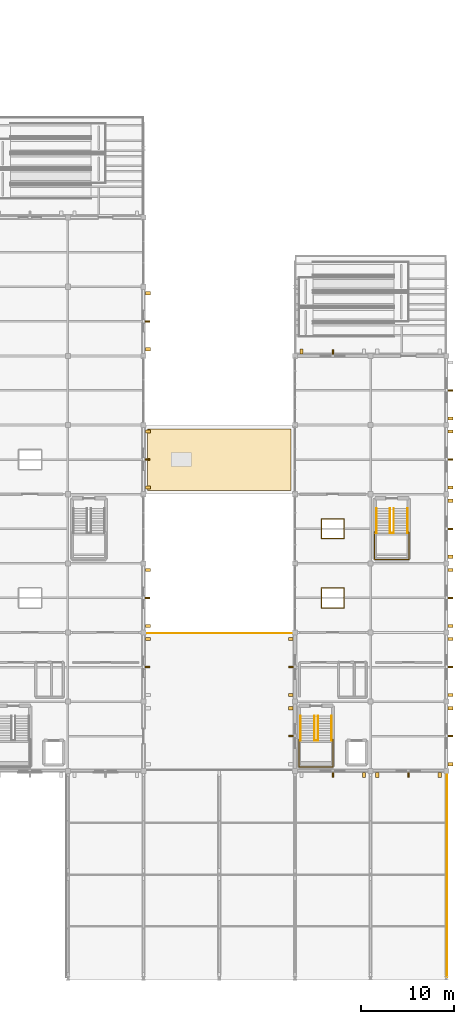
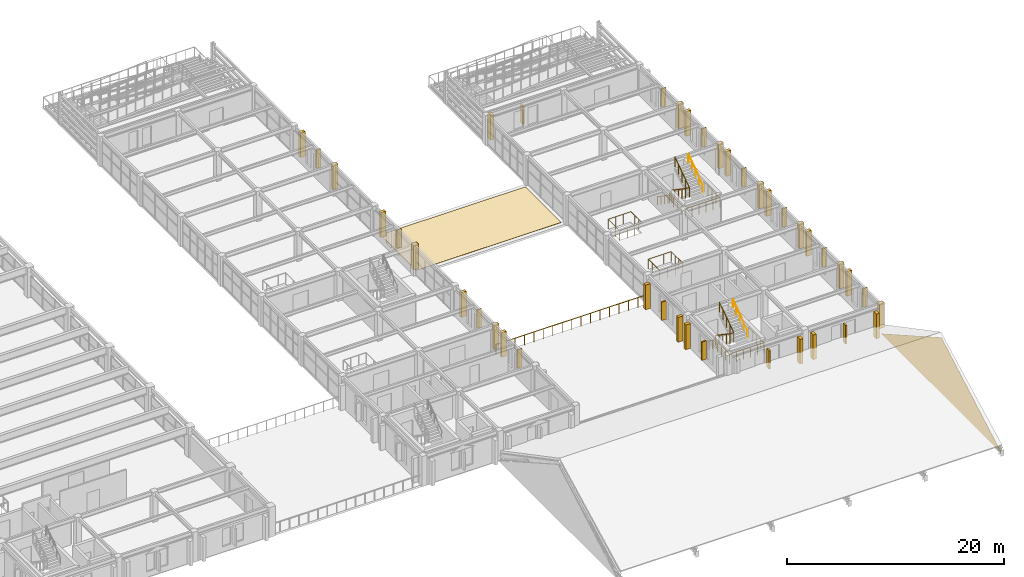
# One storey, part 120 of 121: 40 shading devices, 11 railings, 2 coverings.
"""IFC4 building model written with IfcOpenShell, lengths in metres."""

from ifc_helpers import new_model, si_unit, direction, frame, origin, origin_2d, place, context, subcontext, project, spatial, polyline, rectangle, circle, outline, extrude, material, layer, layer_set, type_object, element, save


model = new_model("IFC4")

# Units and contexts
model_context = context("Model", 3, precision=1e-05, world=origin(), true_north=direction((0.0, 1.0)))
body_context = subcontext(model_context, "Body", "Model", "MODEL_VIEW")
ifc_project = project(units=[si_unit("LENGTHUNIT", "METRE"), si_unit("AREAUNIT", "SQUARE_METRE"), si_unit("VOLUMEUNIT", "CUBIC_METRE"), si_unit("PLANEANGLEUNIT", "RADIAN"), si_unit("MASSUNIT", "GRAM", prefix="KILO")], contexts=[model_context])

# Site, building, storey
site_placement = place(None, origin())
site = spatial("IfcSite", under=ifc_project, at=site_placement, CompositionType="ELEMENT")
building_placement = place(site_placement, origin())
building = spatial("IfcBuilding", under=site, at=building_placement, Name="Cimatlan Art Gallery", CompositionType="ELEMENT")
storey_placement = place(building_placement, frame((0.0, 0.0, 10.199951171875)))
storey = spatial("IfcBuildingStorey", under=building, at=storey_placement, Name="L02", CompositionType="ELEMENT", Elevation=10.199951171875)

# Coverings
ifc_material_1 = material(Name="Queretaro cantera limestone ashlar hood-mould", Category="masonry")
ifc_layer_1 = layer(ifc_material_1, 0.0419921875)
ifc_layer_set_1 = layer_set([ifc_layer_1], Name="Queretaro cantera limestone ashlar hood-mould")
covering_type_1 = type_object("IfcCoveringType", Name="COV-CLAD-CANTERA-42", PredefinedType="CLADDING", material=ifc_layer_set_1)
covering_1_placement = place(storey_placement, frame((164.080078125, 1.800048828125, -0.050048828125), z_axis=(1.0, 0.0, 0.0), x_axis=(0.0, 1.0, 0.0)))
element("IfcCovering", 1, at=covering_1_placement, inside=storey, type_object=covering_type_1, Name="CLD-GABLE-AUD-E", PredefinedType="CLADDING", context=body_context, shape_type="SweptSolid", body=[
    extrude(outline(polyline([(0.0, 0.0), (22.0, 0.0), (11.0, 6.25), (0.0, 0.0)])), origin(), (0.0, 0.0, -1.0), 0.0419921875),
])
ifc_material_2 = material(Name="Standing-seam patinated zinc roofing")
ifc_layer_2 = layer(ifc_material_2, 0.02490234375)
ifc_layer_set_2 = layer_set([ifc_layer_2], Name="Standing-seam patinated zinc roofing")
covering_type_2 = type_object("IfcCoveringType", Name="COV-ROOF-ZINC-25", PredefinedType="ROOFING", material=ifc_layer_set_2)
covering_2_placement = place(storey_placement, frame((139.699951171875, 57.199951171875, 0.0), z_axis=(0.0, 0.0, 1.0), x_axis=(1.0, 0.0, 0.0)))
element("IfcCovering", 2, at=covering_2_placement, inside=storey, type_object=covering_type_2, Name="RFG-BRG-ST", PredefinedType="ROOFING", context=body_context, shape_type="SweptSolid", body=[
    extrude(rectangle(XDim=15.39990234375, YDim=6.60009765625, at=origin_2d()), origin(), (0.0, 0.0, 1.0), 0.02490234375),
])

# Railings
ifc_material_3 = material(Name="Anodised bronze and laminated glass balustrade", Category="glass")
railing_type_1 = type_object("IfcRailingType", Name="RL-BAL-EXT-1100", PredefinedType="BALUSTRADE", material=ifc_material_3)
railing_1_placement = place(storey_placement, frame((131.639892578125, 38.6201171875, 0.0)))
element("IfcRailing", 3, at=railing_1_placement, inside=storey, type_object=railing_type_1, Name="GR-TER-13", PredefinedType="BALUSTRADE", context=body_context, shape_type="SweptSolid", body=[
    extrude(circle(Radius=0.02587890625, at=origin_2d()), frame((0.0, 0.0, 1.09423828125), z_axis=(1.0, 0.0, 0.0), x_axis=(0.0, 1.0, 0.0)), (0.0, 0.0, 1.0), 16.1201171875),
    extrude(circle(Radius=0.02099609375, at=origin_2d()), origin(), (0.0, 0.0, 1.0), 1.068115234375),
    extrude(circle(Radius=0.02099609375, at=origin_2d()), frame((1.007568359375, 0.0, 0.0)), (0.0, 0.0, 1.0), 1.068115234375),
    extrude(circle(Radius=0.02099609375, at=origin_2d()), frame((2.01513671875, 0.0, 0.0)), (0.0, 0.0, 1.0), 1.068115234375),
    extrude(circle(Radius=0.02099609375, at=origin_2d()), frame((3.0224609375, 0.0, 0.0)), (0.0, 0.0, 1.0), 1.068115234375),
    extrude(circle(Radius=0.02099609375, at=origin_2d()), frame((4.030029296875, 0.0, 0.0)), (0.0, 0.0, 1.0), 1.068115234375),
    extrude(circle(Radius=0.02099609375, at=origin_2d()), frame((5.03759765625, 0.0, 0.0)), (0.0, 0.0, 1.0), 1.068115234375),
    extrude(circle(Radius=0.02099609375, at=origin_2d()), frame((6.044921875, 0.0, 0.0)), (0.0, 0.0, 1.0), 1.068115234375),
    extrude(circle(Radius=0.02099609375, at=origin_2d()), frame((7.052490234375, 0.0, 0.0)), (0.0, 0.0, 1.0), 1.068115234375),
    extrude(circle(Radius=0.02099609375, at=origin_2d()), frame((8.06005859375, 0.0, 0.0)), (0.0, 0.0, 1.0), 1.068115234375),
    extrude(circle(Radius=0.02099609375, at=origin_2d()), frame((9.067626953125, 0.0, 0.0)), (0.0, 0.0, 1.0), 1.068115234375),
    extrude(circle(Radius=0.02099609375, at=origin_2d()), frame((10.0751953125, 0.0, 0.0)), (0.0, 0.0, 1.0), 1.068115234375),
    extrude(circle(Radius=0.02099609375, at=origin_2d()), frame((11.08251953125, 0.0, 0.0)), (0.0, 0.0, 1.0), 1.068115234375),
    extrude(circle(Radius=0.02099609375, at=origin_2d()), frame((12.090087890625, 0.0, 0.0)), (0.0, 0.0, 1.0), 1.068115234375),
    extrude(circle(Radius=0.02099609375, at=origin_2d()), frame((13.09765625, 0.0, 0.0)), (0.0, 0.0, 1.0), 1.068115234375),
    extrude(circle(Radius=0.02099609375, at=origin_2d()), frame((14.10498046875, 0.0, 0.0)), (0.0, 0.0, 1.0), 1.068115234375),
    extrude(circle(Radius=0.02099609375, at=origin_2d()), frame((15.112548828125, 0.0, 0.0)), (0.0, 0.0, 1.0), 1.068115234375),
    extrude(circle(Radius=0.02099609375, at=origin_2d()), frame((16.1201171875, 0.0, 0.0)), (0.0, 0.0, 1.0), 1.068115234375),
])
ifc_material_4 = material(Name="Painted steel and bronze interior balustrade", Category="steel")
railing_type_2 = type_object("IfcRailingType", Name="RL-BAL-INT-1120", PredefinedType="BALUSTRADE", material=ifc_material_4)
railing_2_placement = place(storey_placement, frame((148.2099609375, 27.239990234375, 1.800048828125)))
element("IfcRailing", 4, at=railing_2_placement, inside=storey, type_object=railing_type_2, Name="STR-C5-L02-LGRD", PredefinedType="BALUSTRADE", context=body_context, shape_type="SweptSolid", body=[
    extrude(circle(Radius=0.02392578125, at=origin_2d()), frame((0.0, 0.0, 1.09619140625), z_axis=(0.0, -1.0, 0.0), x_axis=(1.0, 0.0, 0.0)), (0.0, 0.0, 1.0), 2.929931640625),
    extrude(circle(Radius=0.02392578125, at=origin_2d()), frame((0.0, -2.929931640625, 1.09619140625), z_axis=(1.0, 0.0, 0.0), x_axis=(0.0, 1.0, 0.0)), (0.0, 0.0, 1.0), 3.669921875),
    extrude(circle(Radius=0.02392578125, at=origin_2d()), frame((3.669921875, -2.929931640625, 1.09619140625), z_axis=(0.0, 1.0, 0.0), x_axis=(-1.0, 0.0, 0.0)), (0.0, 0.0, 1.0), 2.929931640625),
    extrude(circle(Radius=0.02001953125, at=origin_2d()), origin(), (0.0, 0.0, 1.0), 1.072021484375),
    extrude(circle(Radius=0.02001953125, at=origin_2d()), frame((0.0, -0.732421875, 0.0)), (0.0, 0.0, 1.0), 1.072021484375),
    extrude(circle(Radius=0.02001953125, at=origin_2d()), frame((0.0, -1.46484375, 0.0)), (0.0, 0.0, 1.0), 1.072021484375),
    extrude(circle(Radius=0.02001953125, at=origin_2d()), frame((0.0, -2.197509765625, 0.0)), (0.0, 0.0, 1.0), 1.072021484375),
    extrude(circle(Radius=0.02001953125, at=origin_2d()), frame((0.0, -2.929931640625, 0.0)), (0.0, 0.0, 1.0), 1.072021484375),
    extrude(circle(Radius=0.02001953125, at=origin_2d()), frame((0.73388671875, -2.929931640625, 0.0)), (0.0, 0.0, 1.0), 1.072021484375),
    extrude(circle(Radius=0.02001953125, at=origin_2d()), frame((1.468017578125, -2.929931640625, 0.0)), (0.0, 0.0, 1.0), 1.072021484375),
    extrude(circle(Radius=0.02001953125, at=origin_2d()), frame((2.201904296875, -2.929931640625, 0.0)), (0.0, 0.0, 1.0), 1.072021484375),
    extrude(circle(Radius=0.02001953125, at=origin_2d()), frame((2.93603515625, -2.929931640625, 0.0)), (0.0, 0.0, 1.0), 1.072021484375),
    extrude(circle(Radius=0.02001953125, at=origin_2d()), frame((3.669921875, -2.929931640625, 0.0)), (0.0, 0.0, 1.0), 1.072021484375),
    extrude(circle(Radius=0.02001953125, at=origin_2d()), frame((3.669921875, -2.197509765625, 0.0)), (0.0, 0.0, 1.0), 1.072021484375),
    extrude(circle(Radius=0.02001953125, at=origin_2d()), frame((3.669921875, -1.46484375, 0.0)), (0.0, 0.0, 1.0), 1.072021484375),
    extrude(circle(Radius=0.02001953125, at=origin_2d()), frame((3.669921875, -0.732421875, 0.0)), (0.0, 0.0, 1.0), 1.072021484375),
    extrude(circle(Radius=0.02001953125, at=origin_2d()), frame((3.669921875, 0.0, 0.0)), (0.0, 0.0, 1.0), 1.072021484375),
])
railing_3_placement = place(storey_placement, frame((149.8701171875, 29.780029296875, 0.0)))
element("IfcRailing", 5, at=railing_3_placement, inside=storey, type_object=railing_type_2, Name="STR-C5-L02-GRD", PredefinedType="BALUSTRADE", context=body_context, shape_type="SweptSolid", body=[
    extrude(circle(Radius=0.02392578125, at=origin_2d()), frame((0.0, 0.0, 1.09619140625), z_axis=(0.0, -0.827224042694, 0.561872212509), x_axis=(1.0, 0.0, 0.0)), (0.0, 0.0, 1.0), 3.20361328125),
    extrude(circle(Radius=0.02392578125, at=origin_2d()), frame((0.0, -2.650146484375, 2.89599609375), z_axis=(1.0, 0.0, 0.0), x_axis=(0.0, 1.0, 0.0)), (0.0, 0.0, 1.0), 0.39990234375),
    extrude(circle(Radius=0.02392578125, at=origin_2d()), frame((0.39990234375, -2.650146484375, 2.89599609375), z_axis=(0.0, 0.827224042694, 0.561872212509), x_axis=(-1.0, 0.0, 0.0)), (0.0, 0.0, 1.0), 3.20361328125),
    extrude(circle(Radius=0.02001953125, at=origin_2d()), origin(), (0.0, 0.0, 1.0), 1.072021484375),
    extrude(circle(Radius=0.02001953125, at=origin_2d()), frame((0.0, -0.66259765625, 0.449951171875)), (0.0, 0.0, 1.0), 1.072021484375),
    extrude(circle(Radius=0.02001953125, at=origin_2d()), frame((0.0, -1.3251953125, 0.89990234375)), (0.0, 0.0, 1.0), 1.072021484375),
    extrude(circle(Radius=0.02001953125, at=origin_2d()), frame((0.0, -1.987548828125, 1.35009765625)), (0.0, 0.0, 1.0), 1.072021484375),
    extrude(circle(Radius=0.02001953125, at=origin_2d()), frame((0.0, -2.650146484375, 1.800048828125)), (0.0, 0.0, 1.0), 1.072021484375),
    extrude(circle(Radius=0.02001953125, at=origin_2d()), frame((0.39990234375, -2.650146484375, 1.800048828125)), (0.0, 0.0, 1.0), 1.072021484375),
    extrude(circle(Radius=0.02001953125, at=origin_2d()), frame((0.39990234375, -1.987548828125, 2.25)), (0.0, 0.0, 1.0), 1.072021484375),
    extrude(circle(Radius=0.02001953125, at=origin_2d()), frame((0.39990234375, -1.3251953125, 2.7001953125)), (0.0, 0.0, 1.0), 1.072021484375),
    extrude(circle(Radius=0.02001953125, at=origin_2d()), frame((0.39990234375, -0.66259765625, 3.150146484375)), (0.0, 0.0, 1.0), 1.072021484375),
    extrude(circle(Radius=0.02001953125, at=origin_2d()), frame((0.39990234375, 0.0, 3.60009765625)), (0.0, 0.0, 1.0), 1.072021484375),
])
railing_4_placement = place(storey_placement, frame((156.31005859375, 49.43994140625, 1.800048828125)))
element("IfcRailing", 6, at=railing_4_placement, inside=storey, type_object=railing_type_2, Name="STR-C10-L02-LGRD", PredefinedType="BALUSTRADE", context=body_context, shape_type="SweptSolid", body=[
    extrude(circle(Radius=0.02392578125, at=origin_2d()), frame((0.0, 0.0, 1.09619140625), z_axis=(0.0, -1.0, 0.0), x_axis=(1.0, 0.0, 0.0)), (0.0, 0.0, 1.0), 2.929931640625),
    extrude(circle(Radius=0.02392578125, at=origin_2d()), frame((0.0, -2.929931640625, 1.09619140625), z_axis=(1.0, 0.0, 0.0), x_axis=(0.0, 1.0, 0.0)), (0.0, 0.0, 1.0), 3.669921875),
    extrude(circle(Radius=0.02392578125, at=origin_2d()), frame((3.669921875, -2.929931640625, 1.09619140625), z_axis=(0.0, 1.0, 0.0), x_axis=(-1.0, 0.0, 0.0)), (0.0, 0.0, 1.0), 2.929931640625),
    extrude(circle(Radius=0.02001953125, at=origin_2d()), origin(), (0.0, 0.0, 1.0), 1.072021484375),
    extrude(circle(Radius=0.02001953125, at=origin_2d()), frame((0.0, -0.732421875, 0.0)), (0.0, 0.0, 1.0), 1.072021484375),
    extrude(circle(Radius=0.02001953125, at=origin_2d()), frame((0.0, -1.46484375, 0.0)), (0.0, 0.0, 1.0), 1.072021484375),
    extrude(circle(Radius=0.02001953125, at=origin_2d()), frame((0.0, -2.197509765625, 0.0)), (0.0, 0.0, 1.0), 1.072021484375),
    extrude(circle(Radius=0.02001953125, at=origin_2d()), frame((0.0, -2.929931640625, 0.0)), (0.0, 0.0, 1.0), 1.072021484375),
    extrude(circle(Radius=0.02001953125, at=origin_2d()), frame((0.73388671875, -2.929931640625, 0.0)), (0.0, 0.0, 1.0), 1.072021484375),
    extrude(circle(Radius=0.02001953125, at=origin_2d()), frame((1.468017578125, -2.929931640625, 0.0)), (0.0, 0.0, 1.0), 1.072021484375),
    extrude(circle(Radius=0.02001953125, at=origin_2d()), frame((2.201904296875, -2.929931640625, 0.0)), (0.0, 0.0, 1.0), 1.072021484375),
    extrude(circle(Radius=0.02001953125, at=origin_2d()), frame((2.93603515625, -2.929931640625, 0.0)), (0.0, 0.0, 1.0), 1.072021484375),
    extrude(circle(Radius=0.02001953125, at=origin_2d()), frame((3.669921875, -2.929931640625, 0.0)), (0.0, 0.0, 1.0), 1.072021484375),
    extrude(circle(Radius=0.02001953125, at=origin_2d()), frame((3.669921875, -2.197509765625, 0.0)), (0.0, 0.0, 1.0), 1.072021484375),
    extrude(circle(Radius=0.02001953125, at=origin_2d()), frame((3.669921875, -1.46484375, 0.0)), (0.0, 0.0, 1.0), 1.072021484375),
    extrude(circle(Radius=0.02001953125, at=origin_2d()), frame((3.669921875, -0.732421875, 0.0)), (0.0, 0.0, 1.0), 1.072021484375),
    extrude(circle(Radius=0.02001953125, at=origin_2d()), frame((3.669921875, 0.0, 0.0)), (0.0, 0.0, 1.0), 1.072021484375),
])
railing_5_placement = place(storey_placement, frame((157.969970703125, 51.97998046875, 0.0)))
element("IfcRailing", 7, at=railing_5_placement, inside=storey, type_object=railing_type_2, Name="STR-C10-L02-GRD", PredefinedType="BALUSTRADE", context=body_context, shape_type="SweptSolid", body=[
    extrude(circle(Radius=0.02392578125, at=origin_2d()), frame((0.0, 0.0, 1.09619140625), z_axis=(0.0, -0.827199981925, 0.561907634672), x_axis=(1.0, 0.0, 0.0)), (0.0, 0.0, 1.0), 3.203369140625),
    extrude(circle(Radius=0.02392578125, at=origin_2d()), frame((0.0, -2.64990234375, 2.89599609375), z_axis=(1.0, 0.0, 0.0), x_axis=(0.0, 1.0, 0.0)), (0.0, 0.0, 1.0), 0.400146484375),
    extrude(circle(Radius=0.02392578125, at=origin_2d()), frame((0.400146484375, -2.64990234375, 2.89599609375), z_axis=(0.0, 0.827199981925, 0.561907634672), x_axis=(-1.0, 0.0, 0.0)), (0.0, 0.0, 1.0), 3.203369140625),
    extrude(circle(Radius=0.02001953125, at=origin_2d()), origin(), (0.0, 0.0, 1.0), 1.072021484375),
    extrude(circle(Radius=0.02001953125, at=origin_2d()), frame((0.0, -0.66259765625, 0.449951171875)), (0.0, 0.0, 1.0), 1.072021484375),
    extrude(circle(Radius=0.02001953125, at=origin_2d()), frame((0.0, -1.324951171875, 0.89990234375)), (0.0, 0.0, 1.0), 1.072021484375),
    extrude(circle(Radius=0.02001953125, at=origin_2d()), frame((0.0, -1.9873046875, 1.35009765625)), (0.0, 0.0, 1.0), 1.072021484375),
    extrude(circle(Radius=0.02001953125, at=origin_2d()), frame((0.0, -2.64990234375, 1.800048828125)), (0.0, 0.0, 1.0), 1.072021484375),
    extrude(circle(Radius=0.02001953125, at=origin_2d()), frame((0.400146484375, -2.64990234375, 1.800048828125)), (0.0, 0.0, 1.0), 1.072021484375),
    extrude(circle(Radius=0.02001953125, at=origin_2d()), frame((0.400146484375, -1.9873046875, 2.25)), (0.0, 0.0, 1.0), 1.072021484375),
    extrude(circle(Radius=0.02001953125, at=origin_2d()), frame((0.400146484375, -1.324951171875, 2.7001953125)), (0.0, 0.0, 1.0), 1.072021484375),
    extrude(circle(Radius=0.02001953125, at=origin_2d()), frame((0.400146484375, -0.66259765625, 3.150146484375)), (0.0, 0.0, 1.0), 1.072021484375),
    extrude(circle(Radius=0.02001953125, at=origin_2d()), frame((0.400146484375, 0.0, 3.60009765625)), (0.0, 0.0, 1.0), 1.072021484375),
])
railing_6_placement = place(storey_placement, frame((150.639892578125, 41.340087890625, 0.0)))
element("IfcRailing", 8, at=railing_6_placement, inside=storey, type_object=railing_type_2, Name="GR-OCU-L02-B5S", PredefinedType="BALUSTRADE", context=body_context, shape_type="SweptSolid", body=[
    extrude(circle(Radius=0.02392578125, at=origin_2d()), frame((0.0, 0.0, 1.09619140625), z_axis=(1.0, 0.0, 0.0), x_axis=(0.0, 1.0, 0.0)), (0.0, 0.0, 1.0), 2.420166015625),
    extrude(circle(Radius=0.02392578125, at=origin_2d()), frame((2.420166015625, 0.0, 1.09619140625), z_axis=(0.0, 1.0, 0.0), x_axis=(-1.0, 0.0, 0.0)), (0.0, 0.0, 1.0), 2.119873046875),
    extrude(circle(Radius=0.02392578125, at=origin_2d()), frame((2.420166015625, 2.119873046875, 1.09619140625), z_axis=(-1.0, 0.0, 0.0), x_axis=(0.0, -1.0, 0.0)), (0.0, 0.0, 1.0), 2.420166015625),
    extrude(circle(Radius=0.02392578125, at=origin_2d()), frame((0.0, 2.119873046875, 1.09619140625), z_axis=(0.0, -1.0, 0.0), x_axis=(1.0, 0.0, 0.0)), (0.0, 0.0, 1.0), 2.080078125),
    extrude(circle(Radius=0.02001953125, at=origin_2d()), origin(), (0.0, 0.0, 1.0), 1.072021484375),
    extrude(circle(Radius=0.02001953125, at=origin_2d()), frame((0.806640625, 0.0, 0.0)), (0.0, 0.0, 1.0), 1.072021484375),
    extrude(circle(Radius=0.02001953125, at=origin_2d()), frame((1.613525390625, 0.0, 0.0)), (0.0, 0.0, 1.0), 1.072021484375),
    extrude(circle(Radius=0.02001953125, at=origin_2d()), frame((2.420166015625, 0.0, 0.0)), (0.0, 0.0, 1.0), 1.072021484375),
    extrude(circle(Radius=0.02001953125, at=origin_2d()), frame((2.420166015625, 0.70654296875, 0.0)), (0.0, 0.0, 1.0), 1.072021484375),
    extrude(circle(Radius=0.02001953125, at=origin_2d()), frame((2.420166015625, 1.413330078125, 0.0)), (0.0, 0.0, 1.0), 1.072021484375),
    extrude(circle(Radius=0.02001953125, at=origin_2d()), frame((2.420166015625, 2.119873046875, 0.0)), (0.0, 0.0, 1.0), 1.072021484375),
    extrude(circle(Radius=0.02001953125, at=origin_2d()), frame((1.613525390625, 2.119873046875, 0.0)), (0.0, 0.0, 1.0), 1.072021484375),
    extrude(circle(Radius=0.02001953125, at=origin_2d()), frame((0.806640625, 2.119873046875, 0.0)), (0.0, 0.0, 1.0), 1.072021484375),
    extrude(circle(Radius=0.02001953125, at=origin_2d()), frame((0.0, 2.119873046875, 0.0)), (0.0, 0.0, 1.0), 1.072021484375),
    extrude(circle(Radius=0.02001953125, at=origin_2d()), frame((0.0, 1.426513671875, 0.0)), (0.0, 0.0, 1.0), 1.072021484375),
    extrude(circle(Radius=0.02001953125, at=origin_2d()), frame((0.0, 0.733154296875, 0.0)), (0.0, 0.0, 1.0), 1.072021484375),
    extrude(circle(Radius=0.02001953125, at=origin_2d()), frame((0.0, 0.039794921875, 0.0)), (0.0, 0.0, 1.0), 1.072021484375),
])
railing_7_placement = place(storey_placement, frame((150.639892578125, 48.739990234375, 0.0)))
element("IfcRailing", 9, at=railing_7_placement, inside=storey, type_object=railing_type_2, Name="GR-OCU-L02-B5N", PredefinedType="BALUSTRADE", context=body_context, shape_type="SweptSolid", body=[
    extrude(circle(Radius=0.02392578125, at=origin_2d()), frame((0.0, 0.0, 1.09619140625), z_axis=(1.0, 0.0, 0.0), x_axis=(0.0, 1.0, 0.0)), (0.0, 0.0, 1.0), 2.420166015625),
    extrude(circle(Radius=0.02392578125, at=origin_2d()), frame((2.420166015625, 0.0, 1.09619140625), z_axis=(0.0, 1.0, 0.0), x_axis=(-1.0, 0.0, 0.0)), (0.0, 0.0, 1.0), 2.1201171875),
    extrude(circle(Radius=0.02392578125, at=origin_2d()), frame((2.420166015625, 2.1201171875, 1.09619140625), z_axis=(-1.0, 0.0, 0.0), x_axis=(0.0, -1.0, 0.0)), (0.0, 0.0, 1.0), 2.420166015625),
    extrude(circle(Radius=0.02392578125, at=origin_2d()), frame((0.0, 2.1201171875, 1.09619140625), z_axis=(0.0, -1.0, 0.0), x_axis=(1.0, 0.0, 0.0)), (0.0, 0.0, 1.0), 2.080078125),
    extrude(circle(Radius=0.02001953125, at=origin_2d()), origin(), (0.0, 0.0, 1.0), 1.072021484375),
    extrude(circle(Radius=0.02001953125, at=origin_2d()), frame((0.806640625, 0.0, 0.0)), (0.0, 0.0, 1.0), 1.072021484375),
    extrude(circle(Radius=0.02001953125, at=origin_2d()), frame((1.613525390625, 0.0, 0.0)), (0.0, 0.0, 1.0), 1.072021484375),
    extrude(circle(Radius=0.02001953125, at=origin_2d()), frame((2.420166015625, 0.0, 0.0)), (0.0, 0.0, 1.0), 1.072021484375),
    extrude(circle(Radius=0.02001953125, at=origin_2d()), frame((2.420166015625, 0.706787109375, 0.0)), (0.0, 0.0, 1.0), 1.072021484375),
    extrude(circle(Radius=0.02001953125, at=origin_2d()), frame((2.420166015625, 1.413330078125, 0.0)), (0.0, 0.0, 1.0), 1.072021484375),
    extrude(circle(Radius=0.02001953125, at=origin_2d()), frame((2.420166015625, 2.1201171875, 0.0)), (0.0, 0.0, 1.0), 1.072021484375),
    extrude(circle(Radius=0.02001953125, at=origin_2d()), frame((1.613525390625, 2.1201171875, 0.0)), (0.0, 0.0, 1.0), 1.072021484375),
    extrude(circle(Radius=0.02001953125, at=origin_2d()), frame((0.806640625, 2.1201171875, 0.0)), (0.0, 0.0, 1.0), 1.072021484375),
    extrude(circle(Radius=0.02001953125, at=origin_2d()), frame((0.0, 2.1201171875, 0.0)), (0.0, 0.0, 1.0), 1.072021484375),
    extrude(circle(Radius=0.02001953125, at=origin_2d()), frame((0.0, 1.4267578125, 0.0)), (0.0, 0.0, 1.0), 1.072021484375),
    extrude(circle(Radius=0.02001953125, at=origin_2d()), frame((0.0, 0.7333984375, 0.0)), (0.0, 0.0, 1.0), 1.072021484375),
    extrude(circle(Radius=0.02001953125, at=origin_2d()), frame((0.0, 0.0400390625, 0.0)), (0.0, 0.0, 1.0), 1.072021484375),
])
ifc_material_5 = material(Name="Brushed bronze stair handrail")
railing_type_3 = type_object("IfcRailingType", Name="RL-HND-INT-920", PredefinedType="HANDRAIL", material=ifc_material_5)
railing_8_placement = place(storey_placement, frame((148.409912109375, 29.780029296875, 0.0)))
element("IfcRailing", 10, at=railing_8_placement, inside=storey, type_object=railing_type_3, Name="STR-C5-L02-HR1", PredefinedType="HANDRAIL", context=body_context, shape_type="SweptSolid", body=[
    extrude(circle(Radius=0.02197265625, at=origin_2d()), frame((0.0, 0.0, 0.89794921875), z_axis=(0.0, -0.827224042694, 0.561872212509), x_axis=(1.0, 0.0, 0.0)), (0.0, 0.0, 1.0), 3.20361328125),
    extrude(circle(Radius=0.01904296875, at=origin_2d()), origin(), (0.0, 0.0, 1.0), 0.8759765625),
    extrude(circle(Radius=0.01904296875, at=origin_2d()), frame((0.0, -0.66259765625, 0.449951171875)), (0.0, 0.0, 1.0), 0.8759765625),
    extrude(circle(Radius=0.01904296875, at=origin_2d()), frame((0.0, -1.3251953125, 0.89990234375)), (0.0, 0.0, 1.0), 0.8759765625),
    extrude(circle(Radius=0.01904296875, at=origin_2d()), frame((0.0, -1.987548828125, 1.35009765625)), (0.0, 0.0, 1.0), 0.8759765625),
    extrude(circle(Radius=0.01904296875, at=origin_2d()), frame((0.0, -2.650146484375, 1.800048828125)), (0.0, 0.0, 1.0), 0.8759765625),
])
railing_9_placement = place(storey_placement, frame((151.72998046875, 27.1298828125, 1.800048828125)))
element("IfcRailing", 11, at=railing_9_placement, inside=storey, type_object=railing_type_3, Name="STR-C5-L02-HR2", PredefinedType="HANDRAIL", context=body_context, shape_type="SweptSolid", body=[
    extrude(circle(Radius=0.02197265625, at=origin_2d()), frame((0.0, 0.0, 0.89794921875), z_axis=(0.0, 0.827224042694, 0.561872212509), x_axis=(-1.0, 0.0, 0.0)), (0.0, 0.0, 1.0), 3.20361328125),
    extrude(circle(Radius=0.01904296875, at=origin_2d()), origin(), (0.0, 0.0, 1.0), 0.8759765625),
    extrude(circle(Radius=0.01904296875, at=origin_2d()), frame((0.0, 0.66259765625, 0.449951171875)), (0.0, 0.0, 1.0), 0.8759765625),
    extrude(circle(Radius=0.01904296875, at=origin_2d()), frame((0.0, 1.3251953125, 0.89990234375)), (0.0, 0.0, 1.0), 0.8759765625),
    extrude(circle(Radius=0.01904296875, at=origin_2d()), frame((0.0, 1.987548828125, 1.35009765625)), (0.0, 0.0, 1.0), 0.8759765625),
    extrude(circle(Radius=0.01904296875, at=origin_2d()), frame((0.0, 2.650146484375, 1.800048828125)), (0.0, 0.0, 1.0), 0.8759765625),
])
railing_10_placement = place(storey_placement, frame((156.510009765625, 51.97998046875, 0.0)))
element("IfcRailing", 12, at=railing_10_placement, inside=storey, type_object=railing_type_3, Name="STR-C10-L02-HR1", PredefinedType="HANDRAIL", context=body_context, shape_type="SweptSolid", body=[
    extrude(circle(Radius=0.02197265625, at=origin_2d()), frame((0.0, 0.0, 0.89794921875), z_axis=(0.0, -0.827199981925, 0.561907634672), x_axis=(1.0, 0.0, 0.0)), (0.0, 0.0, 1.0), 3.203369140625),
    extrude(circle(Radius=0.01904296875, at=origin_2d()), origin(), (0.0, 0.0, 1.0), 0.8759765625),
    extrude(circle(Radius=0.01904296875, at=origin_2d()), frame((0.0, -0.66259765625, 0.449951171875)), (0.0, 0.0, 1.0), 0.8759765625),
    extrude(circle(Radius=0.01904296875, at=origin_2d()), frame((0.0, -1.324951171875, 0.89990234375)), (0.0, 0.0, 1.0), 0.8759765625),
    extrude(circle(Radius=0.01904296875, at=origin_2d()), frame((0.0, -1.9873046875, 1.35009765625)), (0.0, 0.0, 1.0), 0.8759765625),
    extrude(circle(Radius=0.01904296875, at=origin_2d()), frame((0.0, -2.64990234375, 1.800048828125)), (0.0, 0.0, 1.0), 0.8759765625),
])
railing_11_placement = place(storey_placement, frame((159.830078125, 49.330078125, 1.800048828125)))
element("IfcRailing", 13, at=railing_11_placement, inside=storey, type_object=railing_type_3, Name="STR-C10-L02-HR2", PredefinedType="HANDRAIL", context=body_context, shape_type="SweptSolid", body=[
    extrude(circle(Radius=0.02197265625, at=origin_2d()), frame((0.0, 0.0, 0.89794921875), z_axis=(0.0, 0.827199981925, 0.561907634672), x_axis=(-1.0, 0.0, 0.0)), (0.0, 0.0, 1.0), 3.203369140625),
    extrude(circle(Radius=0.01904296875, at=origin_2d()), origin(), (0.0, 0.0, 1.0), 0.8759765625),
    extrude(circle(Radius=0.01904296875, at=origin_2d()), frame((0.0, 0.66259765625, 0.449951171875)), (0.0, 0.0, 1.0), 0.8759765625),
    extrude(circle(Radius=0.01904296875, at=origin_2d()), frame((0.0, 1.324951171875, 0.89990234375)), (0.0, 0.0, 1.0), 0.8759765625),
    extrude(circle(Radius=0.01904296875, at=origin_2d()), frame((0.0, 1.9873046875, 1.35009765625)), (0.0, 0.0, 1.0), 0.8759765625),
    extrude(circle(Radius=0.01904296875, at=origin_2d()), frame((0.0, 2.64990234375, 1.800048828125)), (0.0, 0.0, 1.0), 0.8759765625),
])

# Shading devices
ifc_material_6 = material(Name="Queretaro cantera limestone buttress pilaster", Category="masonry")
shading_device_type_1 = type_object("IfcShadingDeviceType", Name="SHD-BUT-520", PredefinedType="USERDEFINED", material=ifc_material_6)
for number, where, z_axis, x_axis, name in (
    (14, (132.05810546875, 38.0009765625, 0.06005859375), (0.0, 0.0, 1.0), (0.0, -1.0, 0.0), "BUT-0303"),
    (15, (132.05810546875, 45.40087890625, 0.06005859375), (0.0, 0.0, 1.0), (0.0, -1.0, 0.0), "BUT-0305"),
    (16, (132.05810546875, 39.39892578125, 0.06005859375), (0.0, 0.0, 1.0), (0.0, -1.0, 0.0), "BUT-0306"),
    (17, (132.05810546875, 60.200927734375, 0.06005859375), (0.0, 0.0, 1.0), (0.0, -1.0, 0.0), "BUT-0307"),
    (18, (132.05810546875, 54.198974609375, 0.06005859375), (0.0, 0.0, 1.0), (0.0, -1.0, 0.0), "BUT-0308"),
    (19, (132.05810546875, 75.0009765625, 0.06005859375), (0.0, 0.0, 1.0), (0.0, -1.0, 0.0), "BUT-0309"),
    (20, (132.05810546875, 68.9990234375, 0.06005859375), (0.0, 0.0, 1.0), (0.0, -1.0, 0.0), "BUT-0310"),
    (21, (155.200927734375, 23.44189453125, 0.06005859375), (0.0, 0.0, 1.0), (-1.0, 0.0, 0.0), "BUT-0313"),
    (22, (147.342041015625, 30.60107421875, 0.06005859375), (0.0, 0.0, 1.0), (0.0, 1.0, 0.0), "BUT-0316"),
    (23, (147.342041015625, 31.9990234375, 0.06005859375), (0.0, 0.0, 1.0), (0.0, 1.0, 0.0), "BUT-0317"),
    (24, (147.342041015625, 38.0009765625, 0.06005859375), (0.0, 0.0, 1.0), (0.0, 1.0, 0.0), "BUT-0318"),
    (25, (148.4990234375, 68.758056640625, 0.06005859375), (0.0, 0.0, 1.0), (1.0, 0.0, 0.0), "BUT-0319"),
    (26, (163.301025390625, 23.44189453125, 0.06005859375), (0.0, 0.0, 1.0), (-1.0, 0.0, 0.0), "BUT-0321"),
    (27, (156.59912109375, 23.44189453125, 0.06005859375), (0.0, 0.0, 1.0), (-1.0, 0.0, 0.0), "BUT-0322"),
    (28, (164.4580078125, 30.60107421875, 0.06005859375), (0.0, 0.0, 1.0), (0.0, -1.0, 0.0), "BUT-0323"),
    (29, (164.4580078125, 24.59912109375, 0.06005859375), (0.0, 0.0, 1.0), (0.0, -1.0, 0.0), "BUT-0324"),
    (30, (164.4580078125, 38.0009765625, 0.06005859375), (0.0, 0.0, 1.0), (0.0, -1.0, 0.0), "BUT-0325"),
    (31, (164.4580078125, 31.9990234375, 0.06005859375), (0.0, 0.0, 1.0), (0.0, -1.0, 0.0), "BUT-0326"),
    (32, (164.4580078125, 45.40087890625, 0.06005859375), (0.0, 0.0, 1.0), (0.0, -1.0, 0.0), "BUT-0327"),
    (33, (164.4580078125, 39.39892578125, 0.06005859375), (0.0, 0.0, 1.0), (0.0, -1.0, 0.0), "BUT-0328"),
    (34, (164.4580078125, 52.801025390625, 0.06005859375), (0.0, 0.0, 1.0), (0.0, -1.0, 0.0), "BUT-0329"),
    (35, (164.4580078125, 46.799072265625, 0.06005859375), (0.0, 0.0, 1.0), (0.0, -1.0, 0.0), "BUT-0330"),
    (36, (164.4580078125, 60.200927734375, 0.06005859375), (0.0, 0.0, 1.0), (0.0, -1.0, 0.0), "BUT-0331"),
    (37, (164.4580078125, 54.198974609375, 0.06005859375), (0.0, 0.0, 1.0), (0.0, -1.0, 0.0), "BUT-0332"),
    (38, (164.4580078125, 61.59912109375, 0.06005859375), (0.0, 0.0, 1.0), (0.0, -1.0, 0.0), "BUT-0336"),
):
    element("IfcShadingDevice", number, at=place(storey_placement, frame(where, z_axis=z_axis, x_axis=x_axis)), inside=storey, type_object=shading_device_type_1, Name=name, ObjectType="FIN", PredefinedType="USERDEFINED", context=body_context, shape_type="SweptSolid", body=[
        extrude(rectangle(XDim=0.340087890625, YDim=0.52001953125, at=origin_2d()), origin(), (0.0, 0.0, 1.0), 2.778076171875),
    ])
ifc_material_7 = material(Name="Queretaro cantera limestone lancet mullion fin", Category="masonry")
shading_device_type_2 = type_object("IfcShadingDeviceType", Name="SHD-FIN-480", PredefinedType="USERDEFINED", material=ifc_material_7)
for number, where, z_axis, x_axis, name in (
    (39, (132.0380859375, 35.0, 0.60009765625), (0.0, 0.0, 1.0), (0.0, -1.0, 0.0), "FIN-086"),
    (40, (132.0380859375, 42.39990234375, 0.60009765625), (0.0, 0.0, 1.0), (0.0, -1.0, 0.0), "FIN-087"),
):
    element("IfcShadingDevice", number, at=place(storey_placement, frame(where, z_axis=z_axis, x_axis=x_axis)), inside=storey, type_object=shading_device_type_2, Name=name, ObjectType="FIN", PredefinedType="USERDEFINED", context=body_context, shape_type="SweptSolid", body=[
        extrude(rectangle(XDim=0.159912109375, YDim=0.47998046875, at=origin_2d()), origin(), (0.0, 0.0, 1.0), 2.050048828125),
    ])
for number, where, z_axis, x_axis, name in (
    (41, (132.0380859375, 57.199951171875, 0.60009765625), (0.0, 0.0, 1.0), (0.0, -1.0, 0.0), "FIN-088"),
    (42, (132.0380859375, 72.0, 0.60009765625), (0.0, 0.0, 1.0), (0.0, -1.0, 0.0), "FIN-089"),
):
    element("IfcShadingDevice", number, at=place(storey_placement, frame(where, z_axis=z_axis, x_axis=x_axis)), inside=storey, type_object=shading_device_type_2, Name=name, ObjectType="FIN", PredefinedType="USERDEFINED", context=body_context, shape_type="SweptSolid", body=[
        extrude(rectangle(XDim=0.159912109375, YDim=0.47998046875, at=origin_2d()), origin(), (0.0, 0.0, 1.0), 2.0400390625),
    ])
for number, where, z_axis, x_axis, name in (
    (43, (151.85009765625, 23.4619140625, 0.60009765625), (0.0, 0.0, 1.0), (-1.0, 0.0, 0.0), "FIN-090"),
    (44, (147.362060546875, 27.60009765625, 0.60009765625), (0.0, 0.0, 1.0), (0.0, 1.0, 0.0), "FIN-091"),
    (45, (147.362060546875, 35.0, 0.60009765625), (0.0, 0.0, 1.0), (0.0, 1.0, 0.0), "FIN-092"),
    (46, (151.85009765625, 68.738037109375, 0.60009765625), (0.0, 0.0, 1.0), (1.0, 0.0, 0.0), "FIN-093"),
    (47, (159.949951171875, 23.4619140625, 0.60009765625), (0.0, 0.0, 1.0), (-1.0, 0.0, 0.0), "FIN-094"),
    (48, (164.43798828125, 27.60009765625, 0.60009765625), (0.0, 0.0, 1.0), (0.0, -1.0, 0.0), "FIN-095"),
    (49, (164.43798828125, 35.0, 0.60009765625), (0.0, 0.0, 1.0), (0.0, -1.0, 0.0), "FIN-096"),
    (50, (164.43798828125, 42.39990234375, 0.60009765625), (0.0, 0.0, 1.0), (0.0, -1.0, 0.0), "FIN-097"),
    (51, (164.43798828125, 49.800048828125, 0.60009765625), (0.0, 0.0, 1.0), (0.0, -1.0, 0.0), "FIN-098"),
    (52, (164.43798828125, 57.199951171875, 0.60009765625), (0.0, 0.0, 1.0), (0.0, -1.0, 0.0), "FIN-099"),
    (53, (164.43798828125, 64.60009765625, 0.60009765625), (0.0, 0.0, 1.0), (0.0, -1.0, 0.0), "FIN-100"),
):
    element("IfcShadingDevice", number, at=place(storey_placement, frame(where, z_axis=z_axis, x_axis=x_axis)), inside=storey, type_object=shading_device_type_2, Name=name, ObjectType="FIN", PredefinedType="USERDEFINED", context=body_context, shape_type="SweptSolid", body=[
        extrude(rectangle(XDim=0.159912109375, YDim=0.47998046875, at=origin_2d()), origin(), (0.0, 0.0, 1.0), 2.06005859375),
    ])

save(model, "model.ifc")
